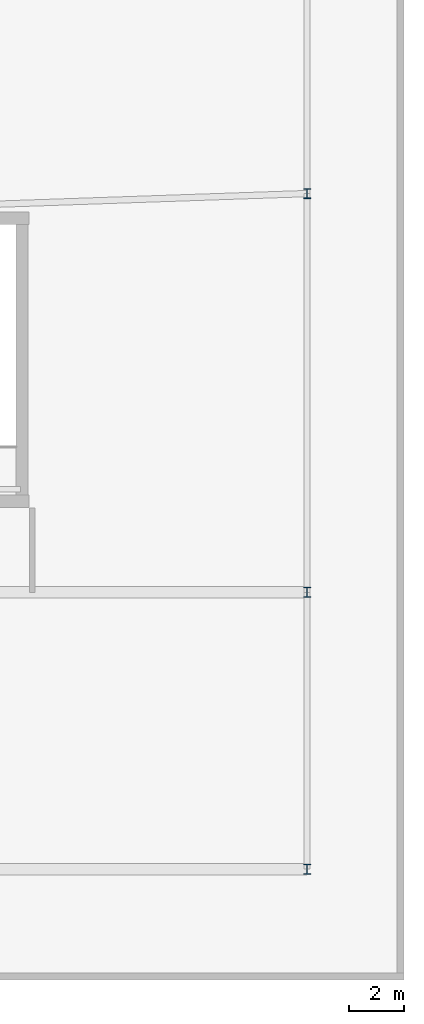
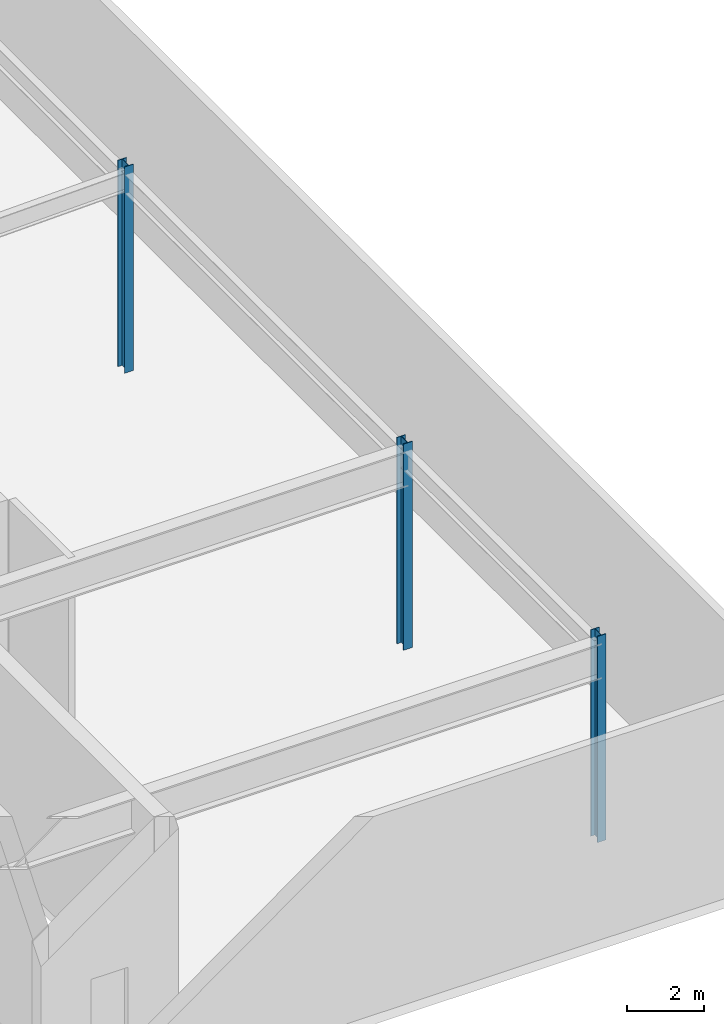
# One storey, part 2 of 15: 3 columns.
"""IFC4 building model written with IfcOpenShell, lengths in metres."""

from ifc_helpers import new_model, si_unit, derived_unit, direction, frame, origin, origin_2d, place, context, subcontext, project, spatial, i_section, extrude, source, transform, mapped, material, material_profile, profile_set, type_object, element, save


model = new_model("IFC4")

# Units and contexts
model_context = context("Model", 3, precision=1e-05, world=origin(), true_north=direction((0.0, 1.0)))
body_context = subcontext(model_context, "Body", "Model", "MODEL_VIEW")
ifc_project = project(units=[si_unit("LENGTHUNIT", "METRE"), si_unit("AREAUNIT", "SQUARE_METRE"), si_unit("VOLUMEUNIT", "CUBIC_METRE"), si_unit("PLANEANGLEUNIT", "RADIAN"), si_unit("MASSUNIT", "GRAM", prefix="KILO"), derived_unit("THERMALTRANSMITTANCEUNIT", [(si_unit("POWERUNIT", "WATT"), 1), (si_unit("LENGTHUNIT", "METRE"), -2), (si_unit("THERMODYNAMICTEMPERATUREUNIT", "KELVIN"), -1)])], contexts=[model_context])

# Site, building, storey
site_placement = place(None, origin())
site = spatial("IfcSite", under=ifc_project, at=site_placement, CompositionType="ELEMENT")
building_placement = place(site_placement, origin())
building = spatial("IfcBuilding", under=site, at=building_placement, Name="Skarnbrae Concourse Arena and Tower", CompositionType="ELEMENT")
storey_placement = place(building_placement, frame((0.0, 0.0, 26.0)))
storey = spatial("IfcBuildingStorey", under=building, at=storey_placement, Name="L05", CompositionType="ELEMENT", Elevation=26.0)

# Columns
ifc_material = material(Name="Steel CSA G40.21 350W", Category="steel")
ifc_material_profile = material_profile(ifc_material, i_section(OverallWidth=0.257080078125, OverallDepth=0.363037109375, WebThickness=0.012939453125, FlangeThickness=0.021728515625, at=origin_2d()), Name="W360X122")
ifc_profile_set = profile_set([ifc_material_profile], Name="Steel CSA G40.21 350W")
column_type = type_object("IfcColumnType", Name="COL-POD-W360X122", PredefinedType="COLUMN", material=ifc_profile_set)
shared_shape = source(origin(), body_context, "Body", "SweptSolid", [
    extrude(i_section(OverallWidth=0.257080078125, OverallDepth=0.363037109375, WebThickness=0.012939453125, FlangeThickness=0.021728515625, at=origin_2d()), origin(), (0.0, 0.0, 1.0), 6.5),
])
for number, where, z_axis, x_axis, name in (
    (1, (78.5, 4.0, 0.0), (0.0, 0.0, 1.0), (1.0, 0.0, 0.0), "L05 Podium mega-column PC-EP1"),
    (2, (78.5, 14.0, 0.0), (0.0, 0.0, 1.0), (1.0, 0.0, 0.0), "L05 Podium mega-column PC-EP2"),
    (3, (78.5, 28.39990234375, 0.0), (0.0, 0.0, 1.0), (1.0, 0.0, 0.0), "L05 Podium mega-column PC-EP3"),
):
    element("IfcColumn", number, at=place(storey_placement, frame(where, z_axis=z_axis, x_axis=x_axis)), inside=storey, type_object=column_type, Name=name, PredefinedType="COLUMN", context=body_context, shape_type="MappedRepresentation", body=[
        mapped(shared_shape, transform((0.0, 0.0, 0.0))),
    ])

save(model, "model.ifc")
